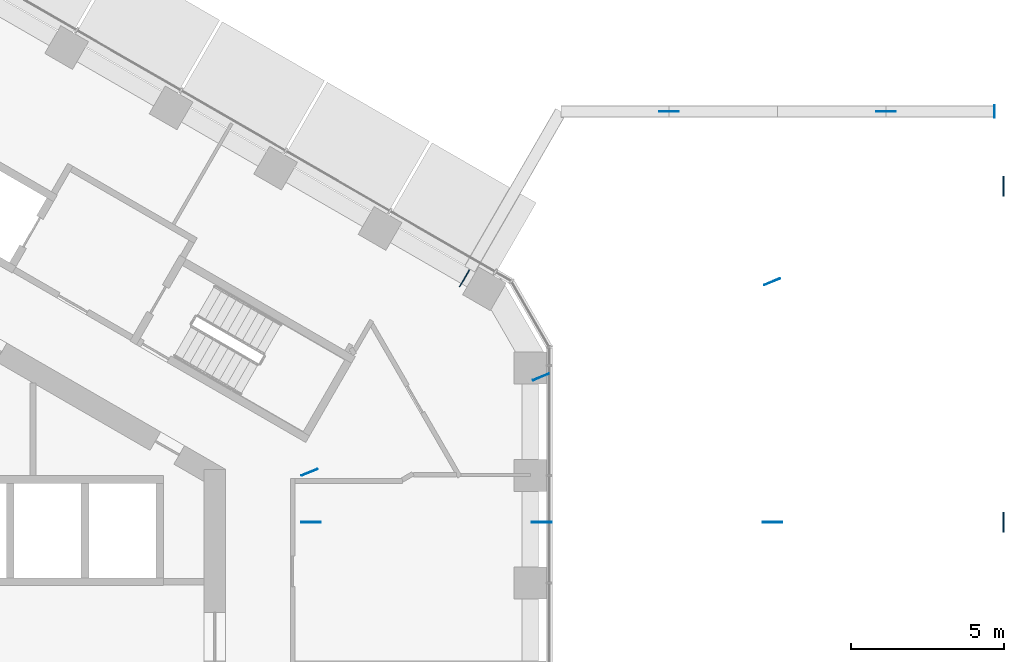
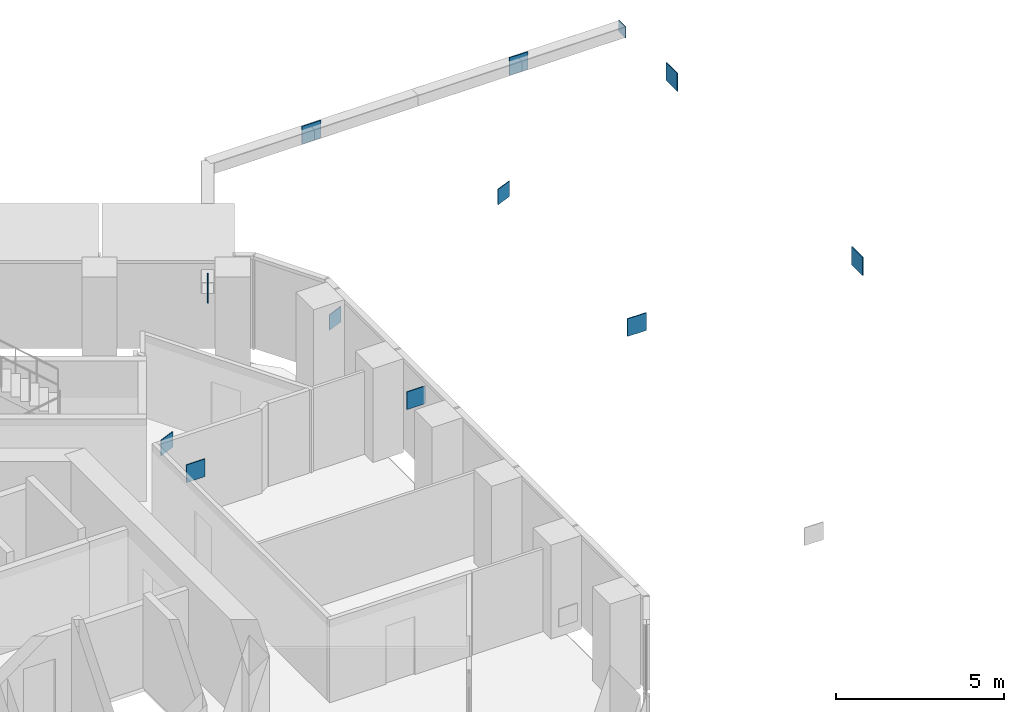
# One storey, part 18 of 21: 12 discrete accessories.
"""IFC4 building model written with IfcOpenShell, lengths in metres."""

from ifc_helpers import new_model, si_unit, direction, frame, origin, origin_2d, place, context, subcontext, project, spatial, rectangle, extrude, material, layer, layer_set, type_object, element, save


model = new_model("IFC4")

# Units and contexts
model_context = context("Model", 3, precision=1e-05, world=origin(), true_north=direction((0.0, 1.0)))
body_context = subcontext(model_context, "Body", "Model", "MODEL_VIEW")
ifc_project = project(units=[si_unit("LENGTHUNIT", "METRE"), si_unit("AREAUNIT", "SQUARE_METRE"), si_unit("VOLUMEUNIT", "CUBIC_METRE"), si_unit("PLANEANGLEUNIT", "RADIAN"), si_unit("MASSUNIT", "GRAM", prefix="KILO")], contexts=[model_context])

# Site, building, storey
site_placement = place(None, origin())
site = spatial("IfcSite", under=ifc_project, at=site_placement, CompositionType="ELEMENT")
building_placement = place(site_placement, origin())
building = spatial("IfcBuilding", under=site, at=building_placement, Name="Ayvan Gate Tower", CompositionType="ELEMENT")
storey_placement = place(building_placement, frame((0.0, 0.0, 117.10009765625)))
storey = spatial("IfcBuildingStorey", under=building, at=storey_placement, Name="L31", CompositionType="ELEMENT", Elevation=117.10009765625)

# Discrete accessories
ifc_material = material(Name="Steel S460ML", Category="steel")
ifc_layer_1 = layer(ifc_material, 0.02490234375)
ifc_layer_set_1 = layer_set([ifc_layer_1], Name="Steel S460ML")
discrete_accessory_type_1 = type_object("IfcDiscreteAccessoryType", Name="Gusset plate 25 mm", PredefinedType="BRACKET", material=ifc_layer_set_1)
for number, where, z_axis, x_axis, name in (
    (1, (12.2548828125, 5.385009765625, 2.369873046875), (0.0, 0.0, 1.0), (0.924601891511, 0.380934826728, 0.0), "Gusset plate SBT2-4-D-2"),
    (2, (19.831787109375, 8.506591796875, 2.369873046875), (0.0, 0.0, 1.0), (0.924601891511, 0.380934826728, 0.0), "Gusset plate SBT2-4-D-3"),
    (3, (27.40869140625, 11.62841796875, 2.369873046875), (0.0, 0.0, 1.0), (0.924601891511, 0.380934826728, 0.0), "Gusset plate SBT2-4-D-5"),
):
    element("IfcDiscreteAccessory", number, at=place(storey_placement, frame(where, z_axis=z_axis, x_axis=x_axis)), inside=storey, type_object=discrete_accessory_type_1, Name=name, PredefinedType="BRACKET", context=body_context, shape_type="SweptSolid", body=[
        extrude(rectangle(XDim=0.56005859375, YDim=0.02490234375, at=origin_2d()), origin(), (0.0, 0.0, 1.0), 0.56005859375),
    ])
ifc_layer_2 = layer(ifc_material, 0.030029296875)
ifc_layer_set_2 = layer_set([ifc_layer_2], Name="Steel S460ML")
discrete_accessory_type_2 = type_object("IfcDiscreteAccessoryType", Name="Gusset plate 30 mm", PredefinedType="BRACKET", material=ifc_layer_set_2)
for number, where, z_axis, x_axis, name in (
    (4, (12.300048828125, 3.75, 2.330078125), (0.0, 0.0, 1.0), (1.0, 0.0, 0.0), "Gusset plate SBT2-3-D-2"),
    (5, (19.86181640625, 3.75, 2.330078125), (0.0, 0.0, 1.0), (1.0, 0.0, 0.0), "Gusset plate SBT2-3-D-3"),
    (6, (27.423583984375, 3.75, 2.330078125), (0.0, 0.0, 1.0), (1.0, 0.0, 0.0), "Gusset plate SBT2-3-D-5"),
    (7, (17.33056640625, 11.740478515625, 2.330078125), (0.0, 0.0, 1.0), (0.5, 0.866025403784, 0.0), "Gusset plate SBX2-A-D-1"),
    (8, (24.03564453125, 17.205078125, 2.330078125), (0.0, 0.0, 1.0), (1.0, 0.0, 0.0), "Gusset plate SBX2-A-D-2"),
    (9, (31.135498046875, 17.205078125, 2.330078125), (0.0, 0.0, 1.0), (1.0, 0.0, 0.0), "Gusset plate SBX2-A-D-4"),
):
    element("IfcDiscreteAccessory", number, at=place(storey_placement, frame(where, z_axis=z_axis, x_axis=x_axis)), inside=storey, type_object=discrete_accessory_type_2, Name=name, PredefinedType="BRACKET", context=body_context, shape_type="SweptSolid", body=[
        extrude(rectangle(XDim=0.639892578125, YDim=0.030029296875, at=origin_2d()), origin(), (0.0, 0.0, 1.0), 0.639892578125),
    ])
ifc_layer_3 = layer(ifc_material, 0.034912109375)
ifc_layer_set_3 = layer_set([ifc_layer_3], Name="Steel S460ML")
discrete_accessory_type_3 = type_object("IfcDiscreteAccessoryType", Name="Gusset plate 35 mm", PredefinedType="BRACKET", material=ifc_layer_set_3)
for number, where, z_axis, x_axis, name in (
    (10, (34.985595703125, 3.75, 1.974609375), (0.0, 0.0, 1.0), (0.0, 1.0, 0.0), "Gusset plate EXO-B2-D2B"),
    (11, (34.985595703125, 14.75, 1.974609375), (0.0, 0.0, 1.0), (0.0, 1.0, 0.0), "Gusset plate EXO-B2-D3B"),
):
    element("IfcDiscreteAccessory", number, at=place(storey_placement, frame(where, z_axis=z_axis, x_axis=x_axis)), inside=storey, type_object=discrete_accessory_type_3, Name=name, PredefinedType="BRACKET", context=body_context, shape_type="SweptSolid", body=[
        extrude(rectangle(XDim=0.650146484375, YDim=0.034912109375, at=origin_2d()), origin(), (0.0, 0.0, 1.0), 0.650146484375),
    ])
ifc_layer_4 = layer(ifc_material, 0.02001953125)
ifc_layer_set_4 = layer_set([ifc_layer_4], Name="Steel S460ML")
discrete_accessory_type_4 = type_object("IfcDiscreteAccessoryType", Name="Sky bar end cap plate", PredefinedType="BRACKET", material=ifc_layer_set_4)
discrete_accessory_placement = place(storey_placement, frame((34.695556640625, 17.205078125, 2.449951171875), z_axis=(0.0, 0.0, 1.0), x_axis=(1.0, 0.0, 0.0)))
element("IfcDiscreteAccessory", 12, at=discrete_accessory_placement, inside=storey, type_object=discrete_accessory_type_4, Name="End cap SBX2-A-BC-5:EC", PredefinedType="BRACKET", context=body_context, shape_type="SweptSolid", body=[
    extrude(rectangle(XDim=0.02001953125, YDim=0.39990234375, at=origin_2d()), origin(), (0.0, 0.0, 1.0), 0.39990234375),
])

save(model, "model.ifc")
